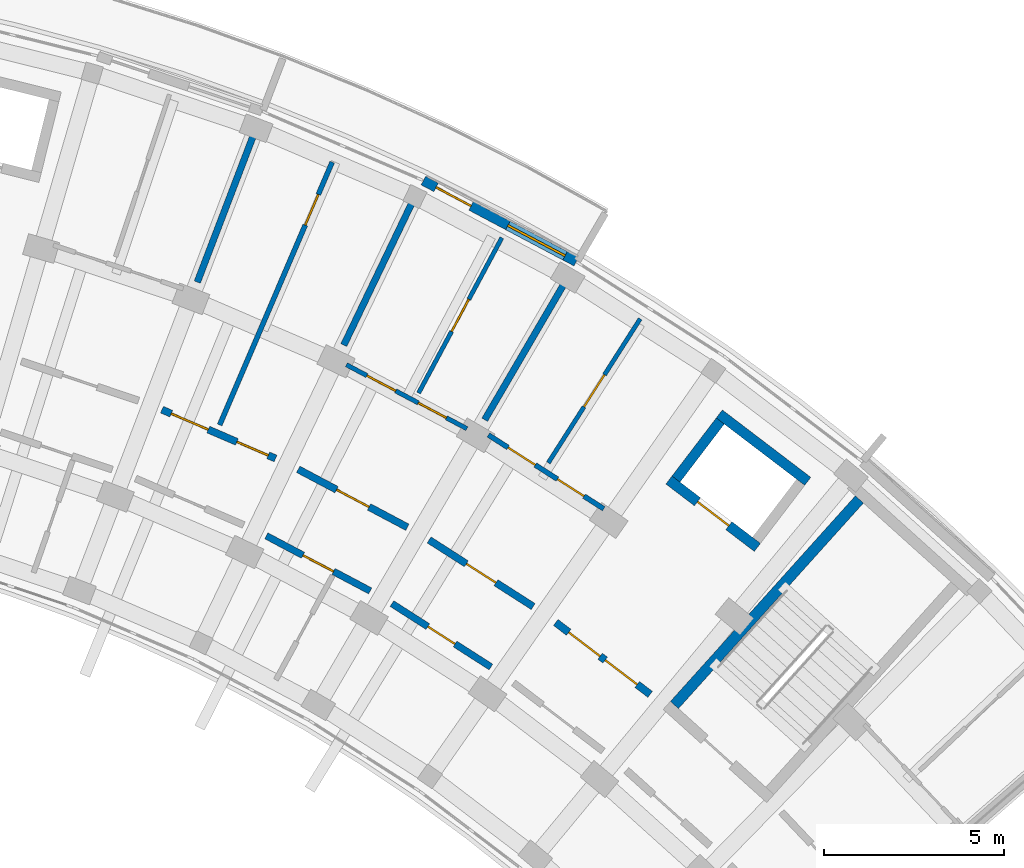
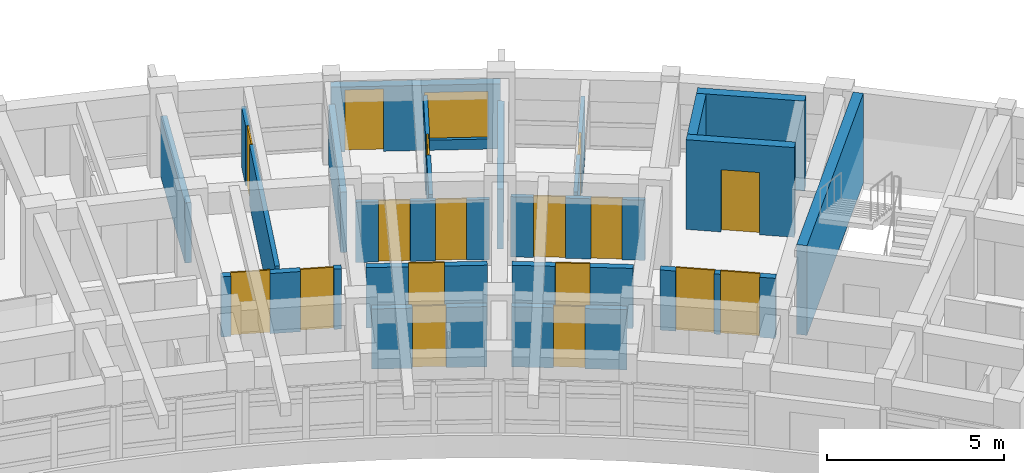
# One storey, part 50 of 70: 19 walls, 17 doors, 1 window, 18 openings.
"""IFC4 building model written with IfcOpenShell, lengths in metres."""

from ifc_helpers import new_model, si_unit, direction, frame, frame_2d, origin, place, context, subcontext, project, spatial, rectangle, extrude, material, layer, layer_set, type_object, element, fill, save


model = new_model("IFC4")

# Units and contexts
model_context = context("Model", 3, precision=1e-05, world=origin(), true_north=direction((0.0, 1.0)))
body_context = subcontext(model_context, "Body", "Model", "MODEL_VIEW")
ifc_project = project(units=[si_unit("LENGTHUNIT", "METRE"), si_unit("AREAUNIT", "SQUARE_METRE"), si_unit("VOLUMEUNIT", "CUBIC_METRE"), si_unit("PLANEANGLEUNIT", "RADIAN"), si_unit("MASSUNIT", "GRAM", prefix="KILO")], contexts=[model_context])

# Site, building, storey
site_placement = place(None, origin())
site = spatial("IfcSite", under=ifc_project, at=site_placement, CompositionType="ELEMENT")
building_placement = place(site_placement, origin())
building = spatial("IfcBuilding", under=site, at=building_placement, Name="Zimvara Arc Housing Community", CompositionType="ELEMENT")
storey_placement = place(building_placement, frame((0.0, 0.0, 8.10009765625)))
storey = spatial("IfcBuildingStorey", under=building, at=storey_placement, Name="L02", CompositionType="ELEMENT", Elevation=8.10009765625)

# Wall, openings, door, window
ifc_material_1 = material(Name="Board-Marked Fair-Faced Concrete C35/45", Category="concrete")
ifc_layer_1 = layer(ifc_material_1, 0.26806640625)
ifc_layer_set_1 = layer_set([ifc_layer_1], Name="Board-Marked Fair-Faced Concrete C35/45")
wall_type_1 = type_object("IfcWallType", Name="EWL-VAR-21", PredefinedType="SOLIDWALL", material=ifc_layer_set_1)
wall_1_placement = place(storey_placement, frame((70.6748046875, 98.04150390625, 0.0), z_axis=(0.0, 0.0, 1.0), x_axis=(0.883448093208, -0.468529045639, 0.0)))
wall_1 = element("IfcWall", 1, at=wall_1_placement, inside=storey, type_object=wall_type_1, Name="ewall:blkB:L02:out:b5", PredefinedType="SOLIDWALL", context=body_context, shape_type="SweptSolid", body=[
    extrude(rectangle(XDim=4.80908203125, YDim=0.26806640625, at=frame_2d((2.404541015625, 0.0))), origin(), (0.0, 0.0, 1.0), 2.25),
])
opening_1_placement = place(wall_1_placement, frame((0.39990234375, 0.0, 0.0)))
opening_1 = element("IfcOpeningElement", 2, at=opening_1_placement, cuts=wall_1, Name="Opening ED06", PredefinedType="OPENING", context=body_context, shape_type="SweptSolid", body=[
    extrude(rectangle(XDim=1.10009765625, YDim=2.14990234375, at=frame_2d((0.550048828125, 1.074951171875))), frame((0.0, 0.14404296875, 0.0), z_axis=(0.0, -1.0, 0.0), x_axis=(1.0, 0.0, 0.0)), (0.0, 0.0, 1.0), 0.2880859375),
])
opening_2_placement = place(wall_1_placement, frame((2.658935546875, 0.0, 0.35009765625)))
opening_2 = element("IfcOpeningElement", 3, at=opening_2_placement, cuts=wall_1, Name="Opening W08", PredefinedType="OPENING", context=body_context, shape_type="SweptSolid", body=[
    extrude(rectangle(XDim=1.800048828125, YDim=1.64990234375, at=frame_2d((0.89990234375, 0.824951171875))), frame((0.0, 0.14404296875, 0.0), z_axis=(0.0, -1.0, 0.0), x_axis=(1.0, 0.0, 0.0)), (0.0, 0.0, 1.0), 0.2880859375),
])
ifc_material_2 = material(Name="Anodised Aluminium AW-6063", Category="aluminium")
door_type_1 = type_object("IfcDoorType", Name="EDR-TERR-1100x2150", OperationType="NOTDEFINED", PredefinedType="DOOR", material=ifc_material_2)
door_1_placement = place(opening_1_placement, origin())
door_1 = element("IfcDoor", 4, at=door_1_placement, inside=storey, type_object=door_type_1, Name="edoor:blkB:L02:bal_out:b5", OperationType="SINGLE_SWING_LEFT", OverallHeight=2.14990234375, OverallWidth=1.10009765625, PredefinedType="DOOR", context=body_context, shape_type="SweptSolid", body=[
    extrude(rectangle(XDim=1.10009765625, YDim=2.14990234375, at=frame_2d((0.550048828125, 1.074951171875))), frame((0.0, 0.02490234375, 0.0), z_axis=(0.0, -1.0, 0.0), x_axis=(1.0, 0.0, 0.0)), (0.0, 0.0, 1.0), 0.050048828125),
])
fill(opening_1, door_1)
ifc_material_3 = material(Name="Solar Control Low-E Double Glazing", Category="glass")
window_type = type_object("IfcWindowType", Name="WIN-RES-1800x1650", PartitioningType="TRIPLE_PANEL_VERTICAL", PredefinedType="WINDOW", material=ifc_material_3)
window_placement = place(opening_2_placement, origin())
window = element("IfcWindow", 5, at=window_placement, inside=storey, type_object=window_type, Name="win:blkB:L02:out:b5:balw", OverallHeight=1.64990234375, OverallWidth=1.800048828125, PartitioningType="TRIPLE_PANEL_VERTICAL", PredefinedType="WINDOW", context=body_context, shape_type="SweptSolid", body=[
    extrude(rectangle(XDim=1.800048828125, YDim=1.64990234375, at=frame_2d((0.89990234375, 0.824951171875))), frame((0.0, 0.030029296875, 0.0), z_axis=(0.0, -1.0, 0.0), x_axis=(1.0, 0.0, 0.0)), (0.0, 0.0, 1.0), 0.06005859375),
])
fill(opening_2, window)

# Wall, openings, doors
ifc_material_4 = material(Name="Concrete C35/45", Category="concrete")
ifc_layer_2 = layer(ifc_material_4, 0.2099609375)
ifc_layer_set_2 = layer_set([ifc_layer_2], Name="Concrete C35/45")
wall_type_2 = type_object("IfcWallType", Name="IWL-CCF-210", PredefinedType="SOLIDWALL", material=ifc_layer_set_2)
wall_2_placement = place(storey_placement, frame((74.356689453125, 85.755859375, 0.0), z_axis=(0.0, 0.0, 1.0), x_axis=(0.795498026433, -0.605956178235, 0.0)))
wall_2 = element("IfcWall", 6, at=wall_2_placement, inside=storey, type_object=wall_type_2, Name="iwall:blkB:L02:ll_div:b7", PredefinedType="SOLIDWALL", context=body_context, shape_type="SweptSolid", body=[
    extrude(rectangle(XDim=3.296142578125, YDim=0.2099609375, at=frame_2d((1.64794921875, 0.0))), origin(), (0.0, 0.0, 1.0), 2.079833984375),
])
opening_3_placement = place(wall_2_placement, frame((0.449951171875, 0.0, 0.0)))
opening_3 = element("IfcOpeningElement", 7, at=opening_3_placement, cuts=wall_2, Name="Opening FD-CCF1", PredefinedType="OPENING", context=body_context, shape_type="SweptSolid", body=[
    extrude(rectangle(XDim=1.10009765625, YDim=2.14990234375, at=frame_2d((0.550048828125, 1.074951171875))), frame((0.0, 0.114990234375, 0.0), z_axis=(0.0, -1.0, 0.0), x_axis=(1.0, 0.0, 0.0)), (0.0, 0.0, 1.0), 0.22998046875),
])
opening_4_placement = place(wall_2_placement, frame((1.72607421875, 0.0, 0.0)))
opening_4 = element("IfcOpeningElement", 8, at=opening_4_placement, cuts=wall_2, Name="Opening D07", PredefinedType="OPENING", context=body_context, shape_type="SweptSolid", body=[
    extrude(rectangle(XDim=1.1201171875, YDim=2.14990234375, at=frame_2d((0.56005859375, 1.074951171875))), frame((0.0, 0.114990234375, 0.0), z_axis=(0.0, -1.0, 0.0), x_axis=(1.0, 0.0, 0.0)), (0.0, 0.0, 1.0), 0.22998046875),
])
ifc_material_5 = material(Name="Mozambican Hardwood", Category="wood")
door_type_2 = type_object("IfcDoorType", Name="IDR-AMN-1120x2150", OperationType="NOTDEFINED", PredefinedType="DOOR", material=ifc_material_5)
door_2_placement = place(opening_4_placement, origin())
door_2 = element("IfcDoor", 9, at=door_2_placement, inside=storey, type_object=door_type_2, Name="idoor:blkB:L02:rs_in:b7", OperationType="SINGLE_SWING_RIGHT", OverallHeight=2.14990234375, OverallWidth=1.1201171875, PredefinedType="DOOR", context=body_context, shape_type="SweptSolid", body=[
    extrude(rectangle(XDim=1.1201171875, YDim=2.14990234375, at=frame_2d((0.56005859375, 1.074951171875))), frame((0.0, 0.02490234375, 0.0), z_axis=(0.0, -1.0, 0.0), x_axis=(1.0, 0.0, 0.0)), (0.0, 0.0, 1.0), 0.050048828125),
])
fill(opening_4, door_2)
ifc_material_6 = material(Name="Anodised Aluminium AW-6063", Category="aluminium")
door_type_3 = type_object("IfcDoorType", Name="IDR-CCF-1100x2150", OperationType="NOTDEFINED", PredefinedType="DOOR", material=ifc_material_6)
door_3_placement = place(opening_3_placement, origin())
door_3 = element("IfcDoor", 10, at=door_3_placement, inside=storey, type_object=door_type_3, Name="idoor:blkB:L02:ll_in:b7", OperationType="SINGLE_SWING_LEFT", OverallHeight=2.14990234375, OverallWidth=1.10009765625, PredefinedType="DOOR", context=body_context, shape_type="SweptSolid", body=[
    extrude(rectangle(XDim=1.10009765625, YDim=2.14990234375, at=frame_2d((0.550048828125, 1.074951171875))), frame((0.0, 0.02490234375, 0.0), z_axis=(0.0, -1.0, 0.0), x_axis=(1.0, 0.0, 0.0)), (0.0, 0.0, 1.0), 0.050048828125),
])
fill(opening_3, door_3)

# Wall, opening, door
ifc_material_7 = material(Name="Concrete C35/45", Category="concrete")
ifc_layer_3 = layer(ifc_material_7, 0.18994140625)
ifc_layer_set_3 = layer_set([ifc_layer_3], Name="Concrete C35/45")
wall_type_3 = type_object("IfcWallType", Name="IWL-CORR-190", PredefinedType="SOLIDWALL", material=ifc_layer_set_3)
wall_3_placement = place(storey_placement, frame((66.30859375, 88.1650390625, 0.0), z_axis=(0.0, 0.0, 1.0), x_axis=(0.883444301944, -0.468536194293, 0.0)))
wall_3 = element("IfcWall", 11, at=wall_3_placement, inside=storey, type_object=wall_type_3, Name="iwall:blkB:L02:corr_in:b5", PredefinedType="SOLIDWALL", context=body_context, shape_type="SweptSolid", body=[
    extrude(rectangle(XDim=3.268798828125, YDim=0.18994140625, at=frame_2d((1.63427734375, 0.0))), origin(), (0.0, 0.0, 1.0), 2.079833984375),
])
opening_5_placement = place(wall_3_placement, frame((1.154296875, 0.0, 0.0)))
opening_5 = element("IfcOpeningElement", 12, at=opening_5_placement, cuts=wall_3, Name="Opening D04", PredefinedType="OPENING", context=body_context, shape_type="SweptSolid", body=[
    extrude(rectangle(XDim=0.9599609375, YDim=2.10009765625, at=frame_2d((0.47998046875, 1.050048828125))), frame((0.0, 0.10498046875, 0.0), z_axis=(0.0, -1.0, 0.0), x_axis=(1.0, 0.0, 0.0)), (0.0, 0.0, 1.0), 0.2099609375),
])
ifc_material_8 = material(Name="Mozambican Hardwood", Category="wood")
door_type_4 = type_object("IfcDoorType", Name="IDR-RM-0960x2100", OperationType="NOTDEFINED", PredefinedType="DOOR", material=ifc_material_8)
door_4_placement = place(opening_5_placement, origin())
door_4 = element("IfcDoor", 13, at=door_4_placement, inside=storey, type_object=door_type_4, Name="idoor:blkB:L02:in_rm:b5", OperationType="SINGLE_SWING_LEFT", OverallHeight=2.10009765625, OverallWidth=0.9599609375, PredefinedType="DOOR", context=body_context, shape_type="SweptSolid", body=[
    extrude(rectangle(XDim=0.9599609375, YDim=2.10009765625, at=frame_2d((0.47998046875, 1.050048828125))), frame((0.0, 0.02490234375, 0.0), z_axis=(0.0, -1.0, 0.0), x_axis=(1.0, 0.0, 0.0)), (0.0, 0.0, 1.0), 0.050048828125),
])
fill(opening_5, door_4)

wall_4_placement = place(storey_placement, frame((69.80029296875, 86.281005859375, 0.0), z_axis=(0.0, 0.0, 1.0), x_axis=(0.842225276846, -0.539125758095, 0.0)))
wall_4 = element("IfcWall", 14, at=wall_4_placement, inside=storey, type_object=wall_type_3, Name="iwall:blkB:L02:corr_in:b6", PredefinedType="SOLIDWALL", context=body_context, shape_type="SweptSolid", body=[
    extrude(rectangle(XDim=3.2685546875, YDim=0.18994140625, at=frame_2d((1.63427734375, 0.0))), origin(), (0.0, 0.0, 1.0), 2.079833984375),
])
opening_6_placement = place(wall_4_placement, frame((1.184326171875, 0.0, 0.0)))
opening_6 = element("IfcOpeningElement", 15, at=opening_6_placement, cuts=wall_4, Name="Opening D01", PredefinedType="OPENING", context=body_context, shape_type="SweptSolid", body=[
    extrude(rectangle(XDim=0.89990234375, YDim=2.10009765625, at=frame_2d((0.449951171875, 1.050048828125))), frame((0.0, 0.10498046875, 0.0), z_axis=(0.0, -1.0, 0.0), x_axis=(1.0, 0.0, 0.0)), (0.0, 0.0, 1.0), 0.2099609375),
])
ifc_material_9 = material(Name="Mozambican Hardwood", Category="wood")
door_type_5 = type_object("IfcDoorType", Name="IDR-RM-0900x2100", OperationType="NOTDEFINED", PredefinedType="DOOR", material=ifc_material_9)
door_5_placement = place(opening_6_placement, origin())
door_5 = element("IfcDoor", 16, at=door_5_placement, inside=storey, type_object=door_type_5, Name="idoor:blkB:L02:in_rm:b6", OperationType="SINGLE_SWING_LEFT", OverallHeight=2.10009765625, OverallWidth=0.89990234375, PredefinedType="DOOR", context=body_context, shape_type="SweptSolid", body=[
    extrude(rectangle(XDim=0.89990234375, YDim=2.10009765625, at=frame_2d((0.449951171875, 1.050048828125))), frame((0.0, 0.02490234375, 0.0), z_axis=(0.0, -1.0, 0.0), x_axis=(1.0, 0.0, 0.0)), (0.0, 0.0, 1.0), 0.050048828125),
])
fill(opening_6, door_5)

# Wall, openings, doors
ifc_material_10 = material(Name="Concrete C35/45", Category="concrete")
ifc_layer_4 = layer(ifc_material_10, 0.199951171875)
ifc_layer_set_4 = layer_set([ifc_layer_4], Name="Concrete C35/45")
wall_type_4 = type_object("IfcWallType", Name="IWL-CORR-200", PredefinedType="SOLIDWALL", material=ifc_layer_set_4)
wall_5_placement = place(storey_placement, frame((63.40673828125, 91.6728515625, 0.0), z_axis=(0.0, 0.0, 1.0), x_axis=(0.918718172399, -0.394913813008, 0.0)))
wall_5 = element("IfcWall", 17, at=wall_5_placement, inside=storey, type_object=wall_type_4, Name="iwall:blkB:L02:corr_out:b4", PredefinedType="SOLIDWALL", context=body_context, shape_type="SweptSolid", body=[
    extrude(rectangle(XDim=3.43603515625, YDim=0.199951171875, at=frame_2d((1.718017578125, 0.0))), origin(), (0.0, 0.0, 1.0), 2.079833984375),
])
opening_7_placement = place(wall_5_placement, frame((0.280029296875, 0.0, 0.0)))
opening_7 = element("IfcOpeningElement", 18, at=opening_7_placement, cuts=wall_5, Name="Opening D07", PredefinedType="OPENING", context=body_context, shape_type="SweptSolid", body=[
    extrude(rectangle(XDim=1.1201171875, YDim=2.14990234375, at=frame_2d((0.56005859375, 1.074951171875))), frame((0.0, 0.10986328125, 0.0), z_axis=(0.0, -1.0, 0.0), x_axis=(1.0, 0.0, 0.0)), (0.0, 0.0, 1.0), 0.219970703125),
])
opening_8_placement = place(wall_5_placement, frame((2.26611328125, 0.0, 0.0)))
opening_8 = element("IfcOpeningElement", 19, at=opening_8_placement, cuts=wall_5, Name="Opening D06", PredefinedType="OPENING", context=body_context, shape_type="SweptSolid", body=[
    extrude(rectangle(XDim=0.949951171875, YDim=2.10009765625, at=frame_2d((0.47509765625, 1.050048828125))), frame((0.0, 0.10986328125, 0.0), z_axis=(0.0, -1.0, 0.0), x_axis=(1.0, 0.0, 0.0)), (0.0, 0.0, 1.0), 0.219970703125),
])
door_6_placement = place(opening_7_placement, origin())
door_6 = element("IfcDoor", 20, at=door_6_placement, inside=storey, type_object=door_type_2, Name="idoor:blkB:L02:amen:b4", OperationType="SINGLE_SWING_RIGHT", OverallHeight=2.14990234375, OverallWidth=1.1201171875, PredefinedType="DOOR", context=body_context, shape_type="SweptSolid", body=[
    extrude(rectangle(XDim=1.1201171875, YDim=2.14990234375, at=frame_2d((0.56005859375, 1.074951171875))), frame((0.0, 0.02490234375, 0.0), z_axis=(0.0, -1.0, 0.0), x_axis=(1.0, 0.0, 0.0)), (0.0, 0.0, 1.0), 0.050048828125),
])
fill(opening_7, door_6)
ifc_material_11 = material(Name="Mozambican Hardwood", Category="wood")
door_type_6 = type_object("IfcDoorType", Name="IDR-AWC-0950x2100", OperationType="NOTDEFINED", PredefinedType="DOOR", material=ifc_material_11)
door_7_placement = place(opening_8_placement, origin())
door_7 = element("IfcDoor", 21, at=door_7_placement, inside=storey, type_object=door_type_6, Name="idoor:blkB:L02:cawc:b4", OperationType="SINGLE_SWING_LEFT", OverallHeight=2.10009765625, OverallWidth=0.949951171875, PredefinedType="DOOR", context=body_context, shape_type="SweptSolid", body=[
    extrude(rectangle(XDim=0.949951171875, YDim=2.10009765625, at=frame_2d((0.47509765625, 1.050048828125))), frame((0.0, 0.02490234375, 0.0), z_axis=(0.0, -1.0, 0.0), x_axis=(1.0, 0.0, 0.0)), (0.0, 0.0, 1.0), 0.050048828125),
])
fill(opening_8, door_7)

# Wall, opening, door
wall_6_placement = place(storey_placement, frame((67.1943359375, 90.013916015625, 0.0), z_axis=(0.0, 0.0, 1.0), x_axis=(0.883410853063, -0.468599258099, 0.0)))
wall_6 = element("IfcWall", 22, at=wall_6_placement, inside=storey, type_object=wall_type_4, Name="iwall:blkB:L02:corr_out:b5", PredefinedType="SOLIDWALL", context=body_context, shape_type="SweptSolid", body=[
    extrude(rectangle(XDim=3.43603515625, YDim=0.199951171875, at=frame_2d((1.718017578125, 0.0))), origin(), (0.0, 0.0, 1.0), 2.079833984375),
])
opening_9_placement = place(wall_6_placement, frame((1.2080078125, 0.0, 0.0)))
opening_9 = element("IfcOpeningElement", 23, at=opening_9_placement, cuts=wall_6, Name="Opening FD-FL2", PredefinedType="OPENING", context=body_context, shape_type="SweptSolid", body=[
    extrude(rectangle(XDim=1.02001953125, YDim=2.14990234375, at=frame_2d((0.510009765625, 1.074951171875))), frame((0.0, 0.10986328125, 0.0), z_axis=(0.0, -1.0, 0.0), x_axis=(1.0, 0.0, 0.0)), (0.0, 0.0, 1.0), 0.219970703125),
])
ifc_material_12 = material(Name="Mozambican Hardwood", Category="wood")
door_type_7 = type_object("IfcDoorType", Name="IDR-FLAT-1020x2150", OperationType="NOTDEFINED", PredefinedType="DOOR", material=ifc_material_12)
door_8_placement = place(opening_9_placement, origin())
door_8 = element("IfcDoor", 24, at=door_8_placement, inside=storey, type_object=door_type_7, Name="idoor:blkB:L02:flat:b5", OperationType="SINGLE_SWING_RIGHT", OverallHeight=2.14990234375, OverallWidth=1.02001953125, PredefinedType="DOOR", context=body_context, shape_type="SweptSolid", body=[
    extrude(rectangle(XDim=1.02001953125, YDim=2.14990234375, at=frame_2d((0.510009765625, 1.074951171875))), frame((0.0, 0.02490234375, 0.0), z_axis=(0.0, -1.0, 0.0), x_axis=(1.0, 0.0, 0.0)), (0.0, 0.0, 1.0), 0.050048828125),
])
fill(opening_9, door_8)

wall_7_placement = place(storey_placement, frame((70.833740234375, 88.05126953125, 0.0), z_axis=(0.0, 0.0, 1.0), x_axis=(0.842257205985, -0.539075874963, 0.0)))
wall_7 = element("IfcWall", 25, at=wall_7_placement, inside=storey, type_object=wall_type_4, Name="iwall:blkB:L02:corr_out:b6", PredefinedType="SOLIDWALL", context=body_context, shape_type="SweptSolid", body=[
    extrude(rectangle(XDim=3.43603515625, YDim=0.199951171875, at=frame_2d((1.718017578125, 0.0))), origin(), (0.0, 0.0, 1.0), 2.079833984375),
])
opening_10_placement = place(wall_7_placement, frame((1.22802734375, 0.0, 0.0)))
opening_10 = element("IfcOpeningElement", 26, at=opening_10_placement, cuts=wall_7, Name="Opening FD-FL1", PredefinedType="OPENING", context=body_context, shape_type="SweptSolid", body=[
    extrude(rectangle(XDim=0.97998046875, YDim=2.14990234375, at=frame_2d((0.489990234375, 1.074951171875))), frame((0.0, 0.10986328125, 0.0), z_axis=(0.0, -1.0, 0.0), x_axis=(1.0, 0.0, 0.0)), (0.0, 0.0, 1.0), 0.219970703125),
])
ifc_material_13 = material(Name="Mozambican Hardwood", Category="wood")
door_type_8 = type_object("IfcDoorType", Name="IDR-FLAT-0980x2150", OperationType="NOTDEFINED", PredefinedType="DOOR", material=ifc_material_13)
door_9_placement = place(opening_10_placement, origin())
door_9 = element("IfcDoor", 27, at=door_9_placement, inside=storey, type_object=door_type_8, Name="idoor:blkB:L02:flat:b6", OperationType="SINGLE_SWING_RIGHT", OverallHeight=2.14990234375, OverallWidth=0.97998046875, PredefinedType="DOOR", context=body_context, shape_type="SweptSolid", body=[
    extrude(rectangle(XDim=0.97998046875, YDim=2.14990234375, at=frame_2d((0.489990234375, 1.074951171875))), frame((0.0, 0.02490234375, 0.0), z_axis=(0.0, -1.0, 0.0), x_axis=(1.0, 0.0, 0.0)), (0.0, 0.0, 1.0), 0.050048828125),
])
fill(opening_10, door_9)

# Walls
ifc_material_14 = material(Name="Concrete C35/45", Category="concrete")
ifc_layer_5 = layer(ifc_material_14, 0.18505859375)
ifc_layer_set_5 = layer_set([ifc_layer_5], Name="Concrete C35/45")
wall_type_5 = type_object("IfcWallType", Name="IWL-FLAT-185", PredefinedType="SOLIDWALL", material=ifc_layer_set_5)
for number, where, z_axis, x_axis, name in (
    (28, (64.388671875, 95.220458984375, 0.0), (0.0, 0.0, 1.0), (0.357064016205, 0.934079915388, 0.0), "iwall:blkB:L02:party:b4"),
    (29, (68.462158203125, 93.469482421875, 0.0), (0.0, 0.0, 1.0), (0.432086898897, 0.901831975371, 0.0), "iwall:blkB:L02:party:b5"),
    (30, (72.37939453125, 91.391845703125, 0.0), (0.0, 0.0, 1.0), (0.504216452091, 0.863577309475, 0.0), "iwall:blkB:L02:party:b6"),
):
    element("IfcWall", number, at=place(storey_placement, frame(where, z_axis=z_axis, x_axis=x_axis)), inside=storey, type_object=wall_type_5, Name=name, PredefinedType="SOLIDWALL", context=body_context, shape_type="SweptSolid", body=[
        extrude(rectangle(XDim=4.35009765625, YDim=0.18505859375, at=frame_2d((2.175048828125, 0.0))), origin(), (0.0, 0.0, 1.0), 2.079833984375),
    ])

# Wall, opening, door
ifc_material_15 = material(Name="Painted Acoustic Plasterboard")
ifc_layer_6 = layer(ifc_material_15, 0.1201171875)
ifc_layer_set_6 = layer_set([ifc_layer_6], Name="Painted Acoustic Plasterboard")
wall_type_6 = type_object("IfcWallType", Name="IWL-PART-120", PredefinedType="PARTITIONING", material=ifc_layer_set_6)
wall_8_placement = place(storey_placement, frame((70.540771484375, 92.134765625, 0.0), z_axis=(0.0, 0.0, 1.0), x_axis=(0.472542158723, 0.881308066586, 0.0)))
wall_8 = element("IfcWall", 31, at=wall_8_placement, inside=storey, type_object=wall_type_6, Name="iwall:blkB:L02:bed_div:b5", PredefinedType="PARTITIONING", context=body_context, shape_type="SweptSolid", body=[
    extrude(rectangle(XDim=4.89990234375, YDim=0.1201171875, at=frame_2d((2.449951171875, 0.0))), origin(), (0.0, 0.0, 1.0), 2.079833984375),
])
opening_11_placement = place(wall_8_placement, frame((1.945068359375, 0.0, 0.0)))
opening_11 = element("IfcOpeningElement", 32, at=opening_11_placement, cuts=wall_8, Name="Opening D15", PredefinedType="OPENING", context=body_context, shape_type="SweptSolid", body=[
    extrude(rectangle(XDim=1.010009765625, YDim=2.10009765625, at=frame_2d((0.5048828125, 1.050048828125))), frame((0.0, 0.070068359375, 0.0), z_axis=(0.0, -1.0, 0.0), x_axis=(1.0, 0.0, 0.0)), (0.0, 0.0, 1.0), 0.14013671875),
])
ifc_material_16 = material(Name="Mozambican Hardwood", Category="wood")
door_type_9 = type_object("IfcDoorType", Name="IDR-MOD-1010x2160", OperationType="NOTDEFINED", PredefinedType="DOOR", material=ifc_material_16)
door_10_placement = place(opening_11_placement, origin())
door_10 = element("IfcDoor", 33, at=door_10_placement, inside=storey, type_object=door_type_9, Name="idoor:blkB:L02:bed_d:b5", OperationType="SINGLE_SWING_LEFT", OverallHeight=2.10009765625, OverallWidth=1.010009765625, PredefinedType="DOOR", context=body_context, shape_type="SweptSolid", body=[
    extrude(rectangle(XDim=1.010009765625, YDim=2.10009765625, at=frame_2d((0.5048828125, 1.050048828125))), frame((0.0, 0.02490234375, 0.0), z_axis=(0.0, -1.0, 0.0), x_axis=(1.0, 0.0, 0.0)), (0.0, 0.0, 1.0), 0.050048828125),
])
fill(opening_11, door_10)

wall_9_placement = place(storey_placement, frame((74.1484375, 90.19482421875, 0.0), z_axis=(0.0, 0.0, 1.0), x_axis=(0.537779792606, 0.843085342456, 0.0)))
wall_9 = element("IfcWall", 34, at=wall_9_placement, inside=storey, type_object=wall_type_6, Name="iwall:blkB:L02:bed_div:b6", PredefinedType="PARTITIONING", context=body_context, shape_type="SweptSolid", body=[
    extrude(rectangle(XDim=4.75, YDim=0.1201171875, at=frame_2d((2.375, 0.0))), origin(), (0.0, 0.0, 1.0), 2.079833984375),
])
opening_12_placement = place(wall_9_placement, frame((1.844970703125, 0.0, 0.0)))
opening_12 = element("IfcOpeningElement", 35, at=opening_12_placement, cuts=wall_9, Name="Opening D16", PredefinedType="OPENING", context=body_context, shape_type="SweptSolid", body=[
    extrude(rectangle(XDim=1.06005859375, YDim=2.10009765625, at=frame_2d((0.530029296875, 1.050048828125))), frame((0.0, 0.070068359375, 0.0), z_axis=(0.0, -1.0, 0.0), x_axis=(1.0, 0.0, 0.0)), (0.0, 0.0, 1.0), 0.14013671875),
])
ifc_material_17 = material(Name="Mozambican Hardwood", Category="wood")
door_type_10 = type_object("IfcDoorType", Name="IDR-MOD-1060x2220", OperationType="NOTDEFINED", PredefinedType="DOOR", material=ifc_material_17)
door_11_placement = place(opening_12_placement, origin())
door_11 = element("IfcDoor", 36, at=door_11_placement, inside=storey, type_object=door_type_10, Name="idoor:blkB:L02:bed_d:b6", OperationType="SINGLE_SWING_RIGHT", OverallHeight=2.10009765625, OverallWidth=1.06005859375, PredefinedType="DOOR", context=body_context, shape_type="SweptSolid", body=[
    extrude(rectangle(XDim=1.06005859375, YDim=2.10009765625, at=frame_2d((0.530029296875, 1.050048828125))), frame((0.0, 0.02490234375, 0.0), z_axis=(0.0, -1.0, 0.0), x_axis=(1.0, 0.0, 0.0)), (0.0, 0.0, 1.0), 0.050048828125),
])
fill(opening_12, door_11)

# Wall, openings, doors
ifc_material_18 = material(Name="Painted Acoustic Plasterboard")
ifc_layer_7 = layer(ifc_material_18, 0.125)
ifc_layer_set_7 = layer_set([ifc_layer_7], Name="Painted Acoustic Plasterboard")
wall_type_7 = type_object("IfcWallType", Name="IWL-PART-125", PredefinedType="PARTITIONING", material=ifc_layer_set_7)
wall_10_placement = place(storey_placement, frame((68.532958984375, 92.923095703125, 0.0), z_axis=(0.0, 0.0, 1.0), x_axis=(0.88341855112, -0.46858474531, 0.0)))
wall_10 = element("IfcWall", 37, at=wall_10_placement, inside=storey, type_object=wall_type_7, Name="iwall:blkB:L02:srv:b5", PredefinedType="PARTITIONING", context=body_context, shape_type="SweptSolid", body=[
    extrude(rectangle(XDim=3.797119140625, YDim=0.125, at=frame_2d((1.8984375, 0.0))), origin(), (0.0, 0.0, 1.0), 2.079833984375),
])
opening_13_placement = place(wall_10_placement, frame((0.64990234375, 0.0, 0.0)))
opening_13 = element("IfcOpeningElement", 38, at=opening_13_placement, cuts=wall_10, Name="Opening D01", PredefinedType="OPENING", context=body_context, shape_type="SweptSolid", body=[
    extrude(rectangle(XDim=0.89990234375, YDim=2.10009765625, at=frame_2d((0.449951171875, 1.050048828125))), frame((0.0, 0.072509765625, 0.0), z_axis=(0.0, -1.0, 0.0), x_axis=(1.0, 0.0, 0.0)), (0.0, 0.0, 1.0), 0.14501953125),
])
opening_14_placement = place(wall_10_placement, frame((2.267333984375, 0.0, 0.0)))
opening_14 = element("IfcOpeningElement", 39, at=opening_14_placement, cuts=wall_10, Name="Opening D05", PredefinedType="OPENING", context=body_context, shape_type="SweptSolid", body=[
    extrude(rectangle(XDim=0.8798828125, YDim=2.10009765625, at=frame_2d((0.43994140625, 1.050048828125))), frame((0.0, 0.072509765625, 0.0), z_axis=(0.0, -1.0, 0.0), x_axis=(1.0, 0.0, 0.0)), (0.0, 0.0, 1.0), 0.14501953125),
])
door_12_placement = place(opening_13_placement, origin())
door_12 = element("IfcDoor", 40, at=door_12_placement, inside=storey, type_object=door_type_5, Name="idoor:blkB:L02:kit_liv:b5", OperationType="SINGLE_SWING_LEFT", OverallHeight=2.10009765625, OverallWidth=0.89990234375, PredefinedType="DOOR", context=body_context, shape_type="SweptSolid", body=[
    extrude(rectangle(XDim=0.89990234375, YDim=2.10009765625, at=frame_2d((0.449951171875, 1.050048828125))), frame((0.0, 0.02490234375, 0.0), z_axis=(0.0, -1.0, 0.0), x_axis=(1.0, 0.0, 0.0)), (0.0, 0.0, 1.0), 0.050048828125),
])
fill(opening_13, door_12)
ifc_material_19 = material(Name="Mozambican Hardwood", Category="wood")
door_type_11 = type_object("IfcDoorType", Name="IDR-WC-0880x2100", OperationType="NOTDEFINED", PredefinedType="DOOR", material=ifc_material_19)
door_13_placement = place(opening_14_placement, origin())
door_13 = element("IfcDoor", 41, at=door_13_placement, inside=storey, type_object=door_type_11, Name="idoor:blkB:L02:bath_d:b5", OperationType="SINGLE_SWING_RIGHT", OverallHeight=2.10009765625, OverallWidth=0.8798828125, PredefinedType="DOOR", context=body_context, shape_type="SweptSolid", body=[
    extrude(rectangle(XDim=0.8798828125, YDim=2.10009765625, at=frame_2d((0.43994140625, 1.050048828125))), frame((0.0, 0.02490234375, 0.0), z_axis=(0.0, -1.0, 0.0), x_axis=(1.0, 0.0, 0.0)), (0.0, 0.0, 1.0), 0.050048828125),
])
fill(opening_14, door_13)

# Wall, opening, door
ifc_material_20 = material(Name="Painted Acoustic Plasterboard")
ifc_layer_8 = layer(ifc_material_20, 0.139892578125)
ifc_layer_set_8 = layer_set([ifc_layer_8], Name="Painted Acoustic Plasterboard")
wall_type_8 = type_object("IfcWallType", Name="IWL-PART-140", PredefinedType="PARTITIONING", material=ifc_layer_set_8)
wall_11_placement = place(storey_placement, frame((65.010498046875, 91.247314453125, 0.0), z_axis=(0.0, 0.0, 1.0), x_axis=(0.393511564709, 0.919319666079, 0.0)))
wall_11 = element("IfcWall", 42, at=wall_11_placement, inside=storey, type_object=wall_type_8, Name="iwall:blkB:L02:amen_div:b4", PredefinedType="PARTITIONING", context=body_context, shape_type="SweptSolid", body=[
    extrude(rectangle(XDim=7.949951171875, YDim=0.139892578125, at=frame_2d((3.97509765625, 0.0))), origin(), (0.0, 0.0, 1.0), 2.079833984375),
])
opening_15_placement = place(wall_11_placement, frame((6.050048828125, 0.0, 0.0)))
opening_15 = element("IfcOpeningElement", 43, at=opening_15_placement, cuts=wall_11, Name="Opening D02", PredefinedType="OPENING", context=body_context, shape_type="SweptSolid", body=[
    extrude(rectangle(XDim=0.919921875, YDim=2.10009765625, at=frame_2d((0.4599609375, 1.050048828125))), frame((0.0, 0.079833984375, 0.0), z_axis=(0.0, -1.0, 0.0), x_axis=(1.0, 0.0, 0.0)), (0.0, 0.0, 1.0), 0.159912109375),
])
ifc_material_21 = material(Name="Mozambican Hardwood", Category="wood")
door_type_12 = type_object("IfcDoorType", Name="IDR-RM-0920x2100", OperationType="NOTDEFINED", PredefinedType="DOOR", material=ifc_material_21)
door_14_placement = place(opening_15_placement, origin())
door_14 = element("IfcDoor", 44, at=door_14_placement, inside=storey, type_object=door_type_12, Name="idoor:blkB:L02:laund_d:b4", OperationType="SINGLE_SWING_LEFT", OverallHeight=2.10009765625, OverallWidth=0.919921875, PredefinedType="DOOR", context=body_context, shape_type="SweptSolid", body=[
    extrude(rectangle(XDim=0.919921875, YDim=2.10009765625, at=frame_2d((0.4599609375, 1.050048828125))), frame((0.0, 0.02490234375, 0.0), z_axis=(0.0, -1.0, 0.0), x_axis=(1.0, 0.0, 0.0)), (0.0, 0.0, 1.0), 0.050048828125),
])
fill(opening_15, door_14)

# Wall, openings, doors
wall_12_placement = place(storey_placement, frame((72.48095703125, 90.97119140625, 0.0), z_axis=(0.0, 0.0, 1.0), x_axis=(0.842238809758, -0.53910461632, 0.0)))
wall_12 = element("IfcWall", 45, at=wall_12_placement, inside=storey, type_object=wall_type_8, Name="iwall:blkB:L02:srv:b6", PredefinedType="PARTITIONING", context=body_context, shape_type="SweptSolid", body=[
    extrude(rectangle(XDim=3.8095703125, YDim=0.139892578125, at=frame_2d((1.90478515625, 0.0))), origin(), (0.0, 0.0, 1.0), 2.079833984375),
])
opening_16_placement = place(wall_12_placement, frame((0.64990234375, 0.0, 0.0)))
opening_16 = element("IfcOpeningElement", 46, at=opening_16_placement, cuts=wall_12, Name="Opening D01", PredefinedType="OPENING", context=body_context, shape_type="SweptSolid", body=[
    extrude(rectangle(XDim=0.89990234375, YDim=2.10009765625, at=frame_2d((0.449951171875, 1.050048828125))), frame((0.0, 0.079833984375, 0.0), z_axis=(0.0, -1.0, 0.0), x_axis=(1.0, 0.0, 0.0)), (0.0, 0.0, 1.0), 0.159912109375),
])
opening_17_placement = place(wall_12_placement, frame((2.279541015625, 0.0, 0.0)))
opening_17 = element("IfcOpeningElement", 47, at=opening_17_placement, cuts=wall_12, Name="Opening D05", PredefinedType="OPENING", context=body_context, shape_type="SweptSolid", body=[
    extrude(rectangle(XDim=0.8798828125, YDim=2.10009765625, at=frame_2d((0.43994140625, 1.050048828125))), frame((0.0, 0.079833984375, 0.0), z_axis=(0.0, -1.0, 0.0), x_axis=(1.0, 0.0, 0.0)), (0.0, 0.0, 1.0), 0.159912109375),
])
door_15_placement = place(opening_16_placement, origin())
door_15 = element("IfcDoor", 48, at=door_15_placement, inside=storey, type_object=door_type_5, Name="idoor:blkB:L02:kit_liv:b6", OperationType="SINGLE_SWING_RIGHT", OverallHeight=2.10009765625, OverallWidth=0.89990234375, PredefinedType="DOOR", context=body_context, shape_type="SweptSolid", body=[
    extrude(rectangle(XDim=0.89990234375, YDim=2.10009765625, at=frame_2d((0.449951171875, 1.050048828125))), frame((0.0, 0.02490234375, 0.0), z_axis=(0.0, -1.0, 0.0), x_axis=(1.0, 0.0, 0.0)), (0.0, 0.0, 1.0), 0.050048828125),
])
fill(opening_16, door_15)
door_16_placement = place(opening_17_placement, origin())
door_16 = element("IfcDoor", 49, at=door_16_placement, inside=storey, type_object=door_type_11, Name="idoor:blkB:L02:bath_d:b6", OperationType="SINGLE_SWING_LEFT", OverallHeight=2.10009765625, OverallWidth=0.8798828125, PredefinedType="DOOR", context=body_context, shape_type="SweptSolid", body=[
    extrude(rectangle(XDim=0.8798828125, YDim=2.10009765625, at=frame_2d((0.43994140625, 1.050048828125))), frame((0.0, 0.02490234375, 0.0), z_axis=(0.0, -1.0, 0.0), x_axis=(1.0, 0.0, 0.0)), (0.0, 0.0, 1.0), 0.050048828125),
])
fill(opening_17, door_16)

# Wall, opening, door
ifc_material_22 = material(Name="Concrete C40/50", Category="concrete")
ifc_layer_9 = layer(ifc_material_22, 0.280029296875)
ifc_layer_set_9 = layer_set([ifc_layer_9], Name="Concrete C40/50")
wall_type_9 = type_object("IfcWallType", Name="WL-CORE-280", PredefinedType="SHEAR", material=ifc_layer_set_9)
wall_13_placement = place(storey_placement, frame((79.96142578125, 87.84375, 0.0), z_axis=(0.0, 0.0, 1.0), x_axis=(-0.795464365424, 0.606000365793, 0.0)))
wall_13 = element("IfcWall", 50, at=wall_13_placement, inside=storey, type_object=wall_type_9, Name="lwall:LP-B2:L02:front", PredefinedType="SHEAR", context=body_context, shape_type="SweptSolid", body=[
    extrude(rectangle(XDim=3.090087890625, YDim=0.280029296875, at=frame_2d((1.544921875, 0.0))), origin(), (0.0, 0.0, 1.0), 3.099853515625),
])
opening_18_placement = place(wall_13_placement, frame((0.9951171875, 0.0, 0.0)))
opening_18 = element("IfcOpeningElement", 51, at=opening_18_placement, cuts=wall_13, Name="Opening LD-LP-B2", PredefinedType="OPENING", context=body_context, shape_type="SweptSolid", body=[
    extrude(rectangle(XDim=1.10009765625, YDim=2.14990234375, at=frame_2d((0.550048828125, 1.074951171875))), frame((0.0, 0.14990234375, 0.0), z_axis=(0.0, -1.0, 0.0), x_axis=(1.0, 0.0, 0.0)), (0.0, 0.0, 1.0), 0.300048828125),
])
ifc_material_23 = material(Name="Anodised Aluminium AW-6063", Category="aluminium")
door_type_13 = type_object("IfcDoorType", Name="IDR-LD-1100x2150", OperationType="DOUBLE_DOOR_SLIDING", PredefinedType="DOOR", material=ifc_material_23)
door_17_placement = place(opening_18_placement, origin())
door_17 = element("IfcDoor", 52, at=door_17_placement, inside=storey, type_object=door_type_13, Name="Lift LP-B2 Sliding Landing Door L02", OperationType="DOUBLE_DOOR_SLIDING", OverallHeight=2.14990234375, OverallWidth=1.10009765625, PredefinedType="DOOR", context=body_context, shape_type="SweptSolid", body=[
    extrude(rectangle(XDim=1.10009765625, YDim=2.14990234375, at=frame_2d((0.550048828125, 1.074951171875))), frame((0.0, 0.02490234375, 0.0), z_axis=(0.0, -1.0, 0.0), x_axis=(1.0, 0.0, 0.0)), (0.0, 0.0, 1.0), 0.050048828125),
])
fill(opening_18, door_17)

# Walls
wall_14_placement = place(storey_placement, frame((81.361083984375, 89.681396484375, 0.0), z_axis=(0.0, 0.0, 1.0), x_axis=(-0.795502452183, 0.605950368076, 0.0)))
element("IfcWall", 53, at=wall_14_placement, inside=storey, type_object=wall_type_9, Name="lwall:LP-B2:L02:back", PredefinedType="SHEAR", context=body_context, shape_type="SweptSolid", body=[
    extrude(rectangle(XDim=3.08984375, YDim=0.280029296875, at=frame_2d((1.544921875, 0.0))), origin(), (0.0, 0.0, 1.0), 3.099853515625),
])
wall_15_placement = place(storey_placement, frame((77.699462890625, 89.742919921875, 0.0), z_axis=(0.0, 0.0, 1.0), x_axis=(0.606025097418, 0.795445523779, 0.0)))
element("IfcWall", 54, at=wall_15_placement, inside=storey, type_object=wall_type_9, Name="lwall:LP-B2:L02:right", PredefinedType="SHEAR", context=body_context, shape_type="SweptSolid", body=[
    extrude(rectangle(XDim=2.030029296875, YDim=0.280029296875, at=frame_2d((1.01513671875, 0.0))), origin(), (0.0, 0.0, 1.0), 3.099853515625),
])
ifc_material_24 = material(Name="Concrete C40/50", Category="concrete")
ifc_layer_10 = layer(ifc_material_24, 0.300048828125)
ifc_layer_set_10 = layer_set([ifc_layer_10], Name="Concrete C40/50")
wall_type_10 = type_object("IfcWallType", Name="WL-CORE-300", PredefinedType="SHEAR", material=ifc_layer_set_10)
wall_16_placement = place(storey_placement, frame((77.655029296875, 83.461181640625, 0.0), z_axis=(0.0, 0.0, 1.0), x_axis=(0.668868253964, 0.743380964808, 0.0)))
element("IfcWall", 55, at=wall_16_placement, inside=storey, type_object=wall_type_10, Name="cwall:ST-B2:L02:right", PredefinedType="SHEAR", context=body_context, shape_type="SweptSolid", body=[
    extrude(rectangle(XDim=7.68994140625, YDim=0.300048828125, at=frame_2d((3.844970703125, 0.0))), origin(), (0.0, 0.0, 1.0), 3.099853515625),
])

save(model, "model.ifc")
